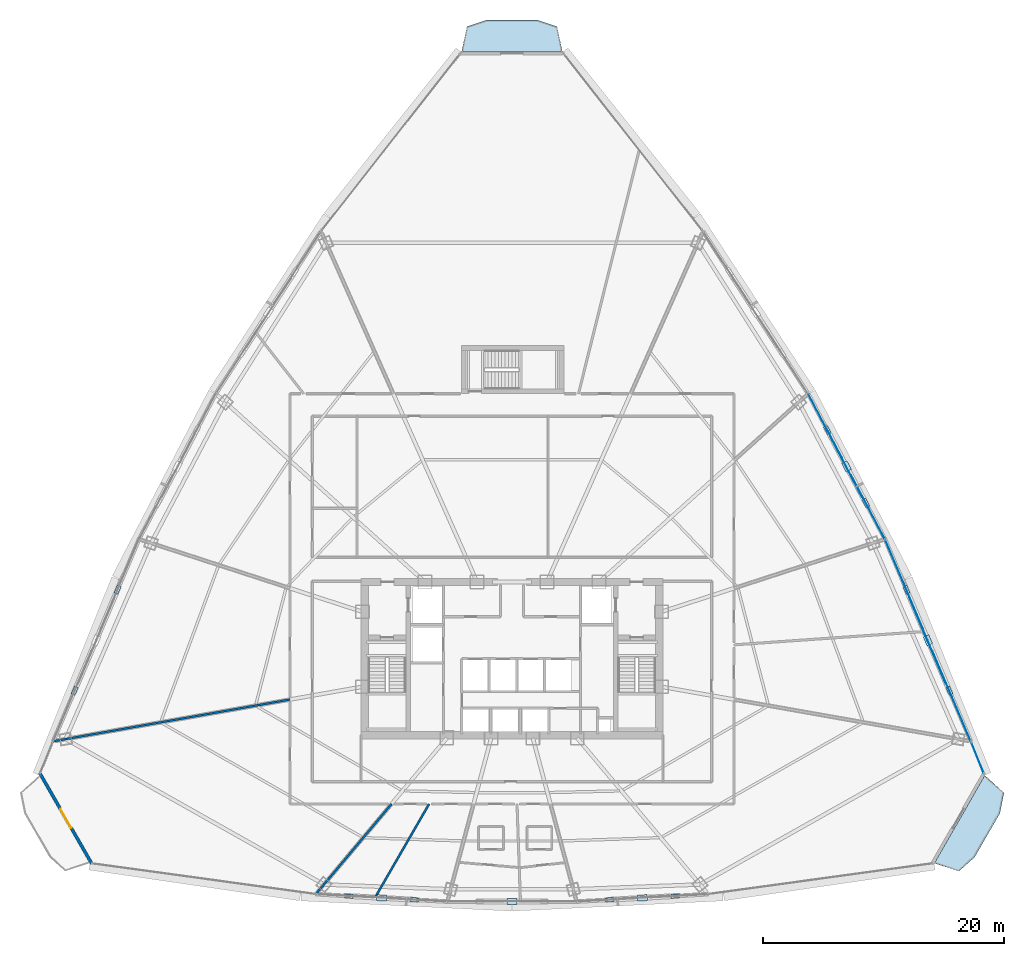
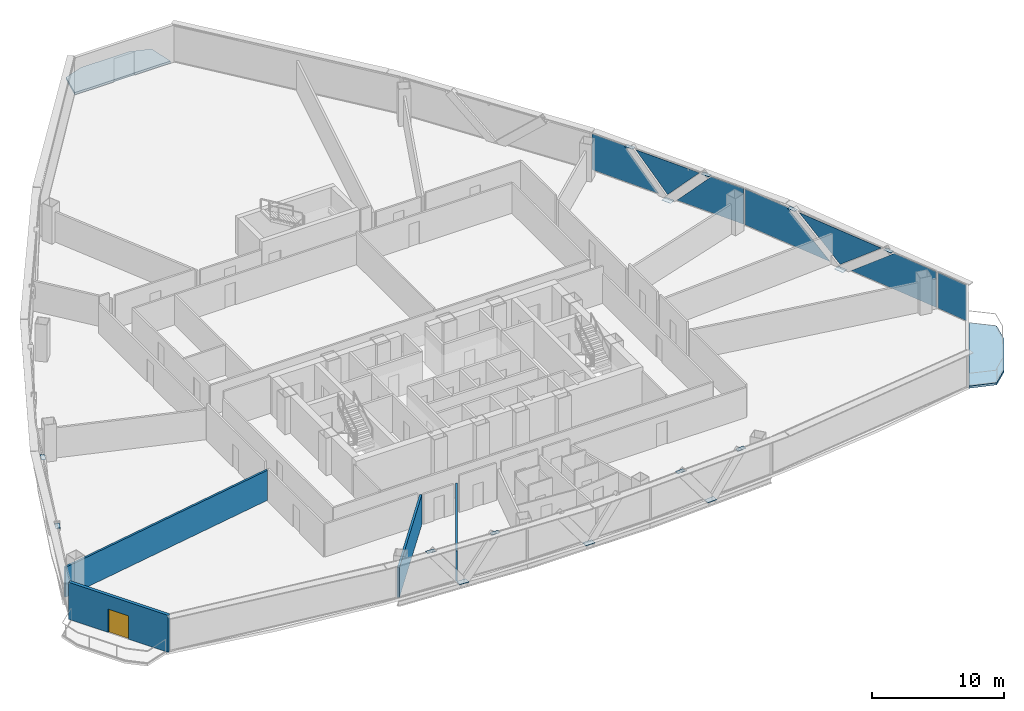
# One storey, part 31 of 39: 22 plates, 4 walls, 2 slabs, 1 door, 1 opening, 3 elements without a shape of their own.
"""IFC4 building model written with IfcOpenShell, lengths in metres."""

from ifc_helpers import new_model, si_unit, direction, frame, frame_2d, origin, origin_with_axes, origin_2d, place, context, subcontext, project, spatial, polyline, rectangle, outline, extrude, source, transform, mapped, material, layer, layer_set, type_object, element, fill, aggregate, save


model = new_model("IFC4")

# Units and contexts
model_context = context("Model", 3, precision=1e-05, world=origin(), true_north=direction((0.0, 1.0)))
body_context = subcontext(model_context, "Body", "Model", "MODEL_VIEW")
ifc_project = project(units=[si_unit("LENGTHUNIT", "METRE"), si_unit("AREAUNIT", "SQUARE_METRE"), si_unit("VOLUMEUNIT", "CUBIC_METRE"), si_unit("PLANEANGLEUNIT", "RADIAN"), si_unit("MASSUNIT", "GRAM", prefix="KILO"), si_unit("THERMODYNAMICTEMPERATUREUNIT", "KELVIN"), si_unit("POWERUNIT", "WATT")], contexts=[model_context])

# Site, building, storey
site_placement = place(None, origin())
site = spatial("IfcSite", under=ifc_project, at=site_placement, CompositionType="ELEMENT")
building_placement = place(site_placement, origin())
building = spatial("IfcBuilding", under=site, at=building_placement, Name="Yunzhuo Pagoda Commons", CompositionType="ELEMENT")
storey_placement = place(building_placement, frame((0.0, 0.0, 166.6298828125)))
storey = spatial("IfcBuildingStorey", under=building, at=storey_placement, Name="L42", CompositionType="ELEMENT", Elevation=166.6298828125)

# Curtain wall, plates
ifc_material_1 = material(Name="Anodized aluminium 6063-T6", Category="aluminium")
ifc_layer_1 = layer(ifc_material_1, 0.14990234375)
ifc_layer_set_1 = layer_set([ifc_layer_1], Name="Anodized aluminium 6063-T6")
curtain_wall_type = type_object("IfcCurtainWallType", Name="CW-MID Mid-Zone Ribbon Curtain Wall", PredefinedType="NOTDEFINED", material=ifc_layer_set_1)
curtain_wall_1_placement = place(storey_placement, origin())
curtain_wall_1 = element("IfcCurtainWall", 1, at=curtain_wall_1_placement, inside=storey, type_object=curtain_wall_type, Name="L42 curtain wall CW-L42-F2B2", PredefinedType="NOTDEFINED")
ifc_material_2 = material(Name="Tempered low-e double glazing", Category="glass")
ifc_layer_2 = layer(ifc_material_2, 0.028076171875)
ifc_layer_set_2 = layer_set([ifc_layer_2], Name="Tempered low-e double glazing")
plate_type_1 = type_object("IfcPlateType", Name="CW-MID-P Low-E Double Glazing 28", PredefinedType="CURTAIN_PANEL", material=ifc_layer_set_2)
plate_1_placement = place(storey_placement, frame((84.421630859375, 30.74658203125, 1.710205078125), z_axis=(0.920363798122, 0.391063267395, 0.0), x_axis=(-0.391063267395, 0.920363798122, 0.0)))
plate_1 = element("IfcPlate", 2, at=plate_1_placement, type_object=plate_type_1, Name="CW panel 1.1 lite 1", PredefinedType="CURTAIN_PANEL", context=body_context, shape_type="SweptSolid", body=[
    extrude(outline(polyline([(-4.02294921875, -1.655029296875), (4.02294921875, -1.655029296875), (-0.0693359375, 1.655029296875), (-4.02294921875, 1.655029296875), (-4.02294921875, -1.655029296875)])), origin(), (0.0, 0.0, 1.0), 0.028076171875),
])
plate_2_placement = place(storey_placement, frame((82.431884765625, 35.352294921875, 1.797119140625), z_axis=(0.920363798122, 0.391063267395, 0.0), x_axis=(-0.391063267395, 0.920363798122, 0.0)))
plate_2 = element("IfcPlate", 3, at=plate_2_placement, type_object=plate_type_1, Name="CW panel 1.1 lite 2", PredefinedType="CURTAIN_PANEL", context=body_context, shape_type="SweptSolid", body=[
    extrude(outline(polyline([(-3.877685546875, 1.568115234375), (0.0, -1.568115234375), (3.877685546875, 1.568115234375), (-3.877685546875, 1.568115234375)])), origin(), (0.0, 0.0, 1.0), 0.028076171875),
])
plate_3_placement = place(storey_placement, frame((80.497802734375, 39.981201171875, 1.710205078125), z_axis=(0.920363798122, 0.391063267395, 0.0), x_axis=(-0.391063267395, 0.920363798122, 0.0)))
plate_3 = element("IfcPlate", 4, at=plate_3_placement, type_object=plate_type_1, Name="CW panel 1.1 lite 3", PredefinedType="CURTAIN_PANEL", context=body_context, shape_type="SweptSolid", body=[
    extrude(outline(polyline([(-4.023193359375, -1.655029296875), (4.023193359375, -1.655029296875), (4.023193359375, 1.655029296875), (0.069580078125, 1.655029296875), (-4.023193359375, -1.655029296875)])), origin(), (0.0, 0.0, 1.0), 0.028076171875),
])
aggregate(curtain_wall_1, [plate_1, plate_2, plate_3])

curtain_wall_2_placement = place(storey_placement, origin())
curtain_wall_2 = element("IfcCurtainWall", 5, at=curtain_wall_2_placement, inside=storey, type_object=curtain_wall_type, Name="L42 curtain wall CW-L42-F2B3", PredefinedType="NOTDEFINED")
plate_4_placement = place(storey_placement, frame((77.484619140625, 46.4208984375, 1.710205078125), z_axis=(0.88426270096, 0.466989802556, 0.0), x_axis=(-0.466989802556, 0.88426270096, 0.0)))
plate_4 = element("IfcPlate", 6, at=plate_4_placement, type_object=plate_type_1, Name="CW panel 1.1 lite 1", PredefinedType="CURTAIN_PANEL", context=body_context, shape_type="SweptSolid", body=[
    extrude(outline(polyline([(-2.973876953125, -1.655029296875), (2.97412109375, -1.655029296875), (-0.092041015625, 1.655029296875), (-2.973876953125, 1.655029296875), (-2.973876953125, -1.655029296875)])), origin(), (0.0, 0.0, 1.0), 0.028076171875),
])
plate_5_placement = place(storey_placement, frame((75.691162109375, 49.75244140625, 1.832275390625), z_axis=(0.88426270096, 0.466989802556, 0.0), x_axis=(-0.466989802556, 0.88426270096, 0.0)))
plate_5 = element("IfcPlate", 7, at=plate_5_placement, type_object=plate_type_1, Name="CW panel 1.1 lite 2", PredefinedType="CURTAIN_PANEL", context=body_context, shape_type="SweptSolid", body=[
    extrude(outline(polyline([(-2.83984375, 1.532958984375), (0.0, -1.532958984375), (2.83984375, 1.532958984375), (-2.83984375, 1.532958984375)])), origin(), (0.0, 0.0, 1.0), 0.028076171875),
])
plate_6_placement = place(storey_placement, frame((73.95068359375, 53.1123046875, 1.710205078125), z_axis=(0.88426270096, 0.466989802556, 0.0), x_axis=(-0.466989802556, 0.88426270096, 0.0)))
plate_6 = element("IfcPlate", 8, at=plate_6_placement, type_object=plate_type_1, Name="CW panel 1.1 lite 3", PredefinedType="CURTAIN_PANEL", context=body_context, shape_type="SweptSolid", body=[
    extrude(outline(polyline([(-2.973876953125, -1.655029296875), (2.973876953125, -1.655029296875), (2.973876953125, 1.655029296875), (0.092041015625, 1.655029296875), (-2.973876953125, -1.655029296875)])), origin(), (0.0, 0.0, 1.0), 0.028076171875),
])
aggregate(curtain_wall_2, [plate_4, plate_5, plate_6])

# Slabs
ifc_material_3 = material(Name="Concrete C40", Category="concrete")
ifc_layer_3 = layer(ifc_material_3, 0.199951171875)
ifc_layer_set_3 = layer_set([ifc_layer_3], Name="Concrete C40")
slab_type = type_object("IfcSlabType", Name="SL-BAL Vertex Balcony Deck Slab 200", PredefinedType="FLOOR", material=ifc_layer_set_3)
slab_1_placement = place(storey_placement, frame((0.0, 0.0, -0.199951171875)))
element("IfcSlab", 9, at=slab_1_placement, inside=storey, type_object=slab_type, Name="L42 corner balcony V2", PredefinedType="FLOOR", context=body_context, shape_type="SweptSolid", body=[
    extrude(outline(polyline([(83.005615234375, 16.883544921875), (87.18603515625, 24.16455078125), (88.77880859375, 22.731201171875), (88.434814453125, 21.02734375), (86.344482421875, 17.38671875), (85.04638671875, 16.230712890625), (83.005615234375, 16.883544921875)])), origin(), (0.0, 0.0, 1.0), 0.199951171875),
])
slab_2_placement = place(storey_placement, frame((0.0, 0.0, -0.199951171875)))
element("IfcSlab", 10, at=slab_2_placement, inside=storey, type_object=slab_type, Name="L42 corner balcony V3", PredefinedType="FLOOR", context=body_context, shape_type="SweptSolid", body=[
    extrude(outline(polyline([(52.1806640625, 84.1328125), (43.8193359375, 84.1328125), (44.269287109375, 86.227783203125), (45.90966796875, 86.77783203125), (50.09033203125, 86.77783203125), (51.730712890625, 86.227783203125), (52.1806640625, 84.1328125)])), origin(), (0.0, 0.0, 1.0), 0.199951171875),
])

# Plates
ifc_material_4 = material(Name="Structural steel Q355B", Category="steel")
ifc_layer_4 = layer(ifc_material_4, 0.028076171875)
ifc_layer_set_4 = layer_set([ifc_layer_4], Name="Structural steel Q355B")
plate_type_2 = type_object("IfcPlateType", Name="SP-ND1 Lattice Node Cap Plate 800x500x28", PredefinedType="USERDEFINED", material=ifc_layer_set_4)
shared_shape_1 = source(origin(), body_context, "Body", "SweptSolid", [
    extrude(rectangle(XDim=0.800048828125, YDim=0.5, at=origin_2d()), origin(), (0.0, 0.0, 1.0), 0.028076171875),
])
for number, where, z_axis, x_axis, name in (
    (11, (37.19140625, 14.0146484375, -0.27392578125), (0.0, 0.0, 1.0), (0.998414348059, -0.056292002903, 0.0), "L42 diamond node plate F1.1A"),
    (12, (48.0, 13.707275390625, -0.27392578125), (0.0, 0.0, 1.0), (1.0, 0.0, 0.0), "L42 diamond node plate F1.2A"),
    (13, (58.80859375, 14.0146484375, -0.27392578125), (0.0, 0.0, 1.0), (0.998414348059, 0.056292002903, 0.0), "L42 diamond node plate F1.3A"),
    (14, (82.472412109375, 35.369384765625, -0.27392578125), (0.0, 0.0, 1.0), (-0.391068484887, 0.920361581189, 0.0), "L42 diamond node plate F2.1A"),
    (15, (75.730224609375, 49.773193359375, -0.27392578125), (0.0, 0.0, 1.0), (-0.46698864742, 0.884263311, 0.0), "L42 diamond node plate F2.2A"),
):
    element("IfcPlate", number, at=place(storey_placement, frame(where, z_axis=z_axis, x_axis=x_axis)), inside=storey, type_object=plate_type_2, Name=name, ObjectType="STIFFENER_PLATE", PredefinedType="USERDEFINED", context=body_context, shape_type="MappedRepresentation", body=[
        mapped(shared_shape_1, transform((0.0, 0.0, 0.0), scale=1.0)),
    ])
shared_shape_2 = source(origin(), body_context, "Body", "SweptSolid", [
    extrude(rectangle(XDim=0.699951171875, YDim=0.35009765625, at=origin_2d()), origin(), (0.0, 0.0, 1.0), 0.035888671875),
])
for number, where, z_axis, x_axis, name in (
    (16, (34.465576171875, 14.168212890625, 3.38232421875), (0.0, 0.0, 1.0), (0.998414348059, -0.056292002903, 0.0), "L42 setback lattice tie plate F1.1L"),
    (17, (39.9169921875, 13.86083984375, 3.38232421875), (0.0, 0.0, 1.0), (0.998414348059, -0.056292002903, 0.0), "L42 setback lattice tie plate F1.1R"),
    (18, (56.0830078125, 13.86083984375, 3.38232421875), (0.0, 0.0, 1.0), (0.998414348059, 0.056292002903, 0.0), "L42 setback lattice tie plate F1.3L"),
    (19, (61.5341796875, 14.168212890625, 3.38232421875), (0.0, 0.0, 1.0), (0.998414348059, 0.056292002903, 0.0), "L42 setback lattice tie plate F1.3R"),
    (20, (84.251953125, 31.181640625, 3.38232421875), (0.0, 0.0, 1.0), (-0.391068484887, 0.920361581189, 0.0), "L42 setback lattice tie plate F2.1L"),
    (21, (80.693115234375, 39.556884765625, 3.38232421875), (0.0, 0.0, 1.0), (-0.391068484887, 0.920361581189, 0.0), "L42 setback lattice tie plate F2.1R"),
    (22, (77.322021484375, 46.7587890625, 3.38232421875), (0.0, 0.0, 1.0), (-0.46698864742, 0.884263311, 0.0), "L42 setback lattice tie plate F2.2L"),
    (23, (74.13818359375, 52.787353515625, 3.38232421875), (0.0, 0.0, 1.0), (-0.46698864742, 0.884263311, 0.0), "L42 setback lattice tie plate F2.2R"),
    (24, (15.306884765625, 39.556884765625, 3.38232421875), (0.0, 0.0, 1.0), (-0.391068484887, -0.920361581189, 0.0), "L42 setback lattice tie plate F3.3L"),
    (25, (11.748046875, 31.181640625, 3.38232421875), (0.0, 0.0, 1.0), (-0.391068484887, -0.920361581189, 0.0), "L42 setback lattice tie plate F3.3R"),
):
    element("IfcPlate", number, at=place(storey_placement, frame(where, z_axis=z_axis, x_axis=x_axis)), inside=storey, type_object=plate_type_2, Name=name, ObjectType="STIFFENER_PLATE", PredefinedType="USERDEFINED", context=body_context, shape_type="MappedRepresentation", body=[
        mapped(shared_shape_2, transform((0.0, 0.0, 0.0), scale=1.0)),
    ])

# Curtain wall, plate
curtain_wall_3_placement = place(storey_placement, origin())
curtain_wall_3 = element("IfcCurtainWall", 26, at=curtain_wall_3_placement, inside=storey, type_object=curtain_wall_type, Name="L42 curtain wall CW-L42-F2B1", PredefinedType="NOTDEFINED")
shared_shape_3 = source(origin(), body_context, "Body", "SweptSolid", [
    extrude(rectangle(XDim=2.6962890625, YDim=0.028076171875, at=origin_2d()), origin(), (0.0, 0.0, 1.0), 3.31005859375),
])
plate_7_placement = place(storey_placement, frame((86.587890625, 25.619384765625, 0.05517578125), z_axis=(0.0, 0.0, 1.0), x_axis=(-0.375317697594, 0.926896232527, 0.0)))
plate_7 = element("IfcPlate", 27, at=plate_7_placement, type_object=plate_type_1, Name="CW panel 1.1", PredefinedType="CURTAIN_PANEL", context=body_context, shape_type="MappedRepresentation", body=[
    mapped(shared_shape_3, transform((0.0, 0.0, 0.0), scale=1.0)),
])
aggregate(curtain_wall_3, [plate_7])

# Wall, opening, door
ifc_material_5 = material(Name="Precast concrete C40", Category="concrete")
ifc_layer_5 = layer(ifc_material_5, 0.260009765625)
ifc_layer_set_5 = layer_set([ifc_layer_5], Name="Precast concrete C40")
wall_type_1 = type_object("IfcWallType", Name="W-BAL1 Corner Balcony Threshold Wall 260", PredefinedType="STANDARD", material=ifc_layer_set_5)
wall_1_placement = place(storey_placement, frame((8.856201171875, 24.36181640625, 0.0), z_axis=(0.0, 0.0, 1.0), x_axis=(0.497939858886, -0.867211564114, 0.0)))
wall_1 = element("IfcWall", 28, at=wall_1_placement, inside=storey, type_object=wall_type_1, Name="L42 corner balcony wall V1", PredefinedType="STANDARD", context=body_context, shape_type="SweptSolid", body=[
    extrude(rectangle(XDim=8.696044921875, YDim=0.260009765625, at=frame_2d((4.34814453125, 0.0))), origin(), (0.0, 0.0, 1.0), 3.420166015625),
])
opening_placement = place(wall_1_placement, frame((3.447998046875, 0.0, 0.0)))
opening = element("IfcOpeningElement", 29, at=opening_placement, cuts=wall_1, Name="Opening D-BAL1", PredefinedType="OPENING", context=body_context, shape_type="SweptSolid", body=[
    extrude(rectangle(XDim=1.800048828125, YDim=2.14990234375, at=frame_2d((0.89990234375, 1.074951171875))), frame((0.0, 0.14013671875, 0.0), z_axis=(0.0, -1.0, 0.0), x_axis=(1.0, 0.0, 0.0)), (0.0, 0.0, 1.0), 0.280029296875),
])
ifc_material_6 = material(Name="Anodized aluminium frame and tempered glazed leaf", Category="aluminium")
door_type = type_object("IfcDoorType", Name="D-BAL1 Corner Balcony Sliding Glazed Door 1800x2150", OperationType="DOUBLE_DOOR_SLIDING", PredefinedType="DOOR", material=ifc_material_6)
shared_shape_4 = source(origin(), body_context, "Body", "SweptSolid", [
    extrude(rectangle(XDim=1.800048828125, YDim=2.14990234375, at=frame_2d((0.89990234375, 1.074951171875))), frame((0.0, 0.02490234375, 0.0), z_axis=(0.0, -1.0, 0.0), x_axis=(1.0, 0.0, 0.0)), (0.0, 0.0, 1.0), 0.050048828125),
])
door_placement = place(opening_placement, origin_with_axes())
door = element("IfcDoor", 30, at=door_placement, inside=storey, type_object=door_type, Name="L42 corner balcony sliding door V1", OperationType="DOUBLE_DOOR_SLIDING", OverallHeight=2.14990234375, OverallWidth=1.800048828125, PredefinedType="DOOR", context=body_context, shape_type="MappedRepresentation", body=[
    mapped(shared_shape_4, transform((0.0, 0.0, 0.0), scale=1.0)),
])
fill(opening, door)

# Walls
ifc_material_7 = material(Name="Gypsum plasterboard on acoustic stud")
ifc_layer_6 = layer(ifc_material_7, 0.175048828125)
ifc_layer_set_6 = layer_set([ifc_layer_6], Name="Gypsum plasterboard on acoustic stud")
wall_type_2 = type_object("IfcWallType", Name="W-PRT3 Mid-Zone Demising Wall 175", PredefinedType="PARTITIONING", material=ifc_layer_set_6)
wall_2_placement = place(storey_placement, frame((29.60009765625, 30.45556640625, 0.0), z_axis=(0.0, 0.0, 1.0), x_axis=(-0.984808700761, -0.173642802629, 0.0)))
element("IfcWall", 31, at=wall_2_placement, inside=storey, type_object=wall_type_2, Name="L42 interior wall IW-L42-RAD09", PredefinedType="PARTITIONING", context=body_context, shape_type="SweptSolid", body=[
    extrude(rectangle(XDim=19.93408203125, YDim=0.175048828125, at=frame_2d((9.967041015625, 0.0))), origin(), (0.0, 0.0, 1.0), 2.77001953125),
])
wall_3_placement = place(storey_placement, frame((38.0146484375, 21.800048828125, 0.0), z_axis=(0.0, 0.0, 1.0), x_axis=(-0.642778485286, -0.766052099308, 0.0)))
element("IfcWall", 32, at=wall_3_placement, inside=storey, type_object=wall_type_2, Name="L42 interior wall IW-L42-RAD10", PredefinedType="PARTITIONING", context=body_context, shape_type="SweptSolid", body=[
    extrude(rectangle(XDim=9.76171875, YDim=0.175048828125, at=frame_2d((4.880859375, 0.0))), origin(), (0.0, 0.0, 1.0), 2.77001953125),
])
wall_4_placement = place(storey_placement, frame((41.12939453125, 21.800048828125, 0.0), z_axis=(0.0, 0.0, 1.0), x_axis=(-0.499989136038, -0.866031676005, 0.0)))
element("IfcWall", 33, at=wall_4_placement, inside=storey, type_object=wall_type_2, Name="L42 interior wall IW-L42-RAD11", PredefinedType="PARTITIONING", context=body_context, shape_type="SweptSolid", body=[
    extrude(rectangle(XDim=8.954833984375, YDim=0.175048828125, at=frame_2d((4.4775390625, 0.0))), origin(), (0.0, 0.0, 1.0), 2.77001953125),
])

save(model, "model.ifc")
